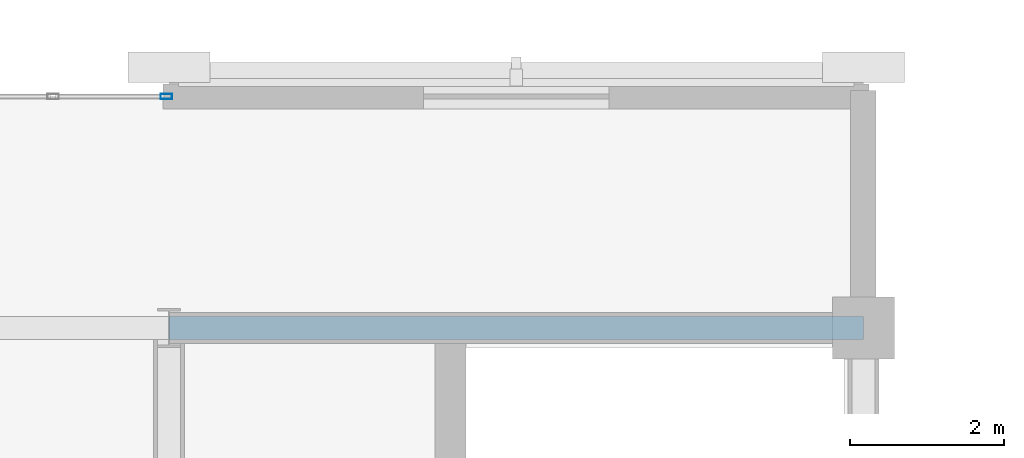
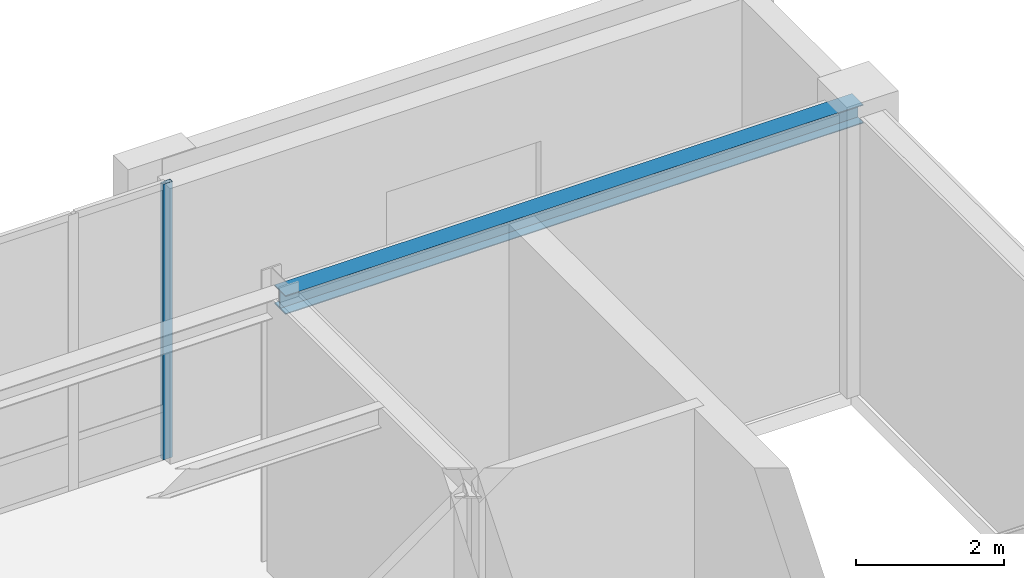
# One storey, part 28 of 98: 1 beam, 1 member, 1 element without a shape of its own.
"""IFC4 building model written with IfcOpenShell, lengths in metres."""

from ifc_helpers import new_model, si_unit, direction, frame, origin, origin_2d, place, context, subcontext, project, spatial, hollow_rectangle, i_section, extrude, material, material_profile, profile_set, type_object, element, aggregate, save


model = new_model("IFC4")

# Units and contexts
model_context = context("Model", 3, precision=1e-05, world=origin(), true_north=direction((0.0, 1.0)))
body_context = subcontext(model_context, "Body", "Model", "MODEL_VIEW")
ifc_project = project(units=[si_unit("LENGTHUNIT", "METRE"), si_unit("AREAUNIT", "SQUARE_METRE"), si_unit("VOLUMEUNIT", "CUBIC_METRE"), si_unit("PLANEANGLEUNIT", "RADIAN"), si_unit("MASSUNIT", "GRAM", prefix="KILO")], contexts=[model_context])

# Site, building, storey
site_placement = place(None, origin())
site = spatial("IfcSite", under=ifc_project, at=site_placement, CompositionType="ELEMENT")
building_placement = place(site_placement, origin())
building = spatial("IfcBuilding", under=site, at=building_placement, Name="Lykobir Media Centre", CompositionType="ELEMENT")
storey_placement = place(building_placement, frame((0.0, 0.0, 10.199951171875)))
storey = spatial("IfcBuildingStorey", under=building, at=storey_placement, Name="L02", CompositionType="ELEMENT", Elevation=10.199951171875)

# Curtain wall, member
ifc_material_1 = material(Name="Anodized Aluminium AW-6060", Category="aluminium")
curtain_wall_type = type_object("IfcCurtainWallType", Name="CW-COURT-A", PredefinedType="NOTDEFINED", material=ifc_material_1)
curtain_wall_placement = place(storey_placement, origin())
curtain_wall = element("IfcCurtainWall", 1, at=curtain_wall_placement, inside=storey, type_object=curtain_wall_type, Name="Curtain wall CW2-L02-0076", PredefinedType="NOTDEFINED")
ifc_material_profile_1 = material_profile(ifc_material_1, hollow_rectangle(XDim=0.06494140625, YDim=0.14990234375, WallThickness=0.00341796875, at=origin_2d()), Name="ALU MULLION 65x150")
ifc_profile_set_1 = profile_set([ifc_material_profile_1], Name="Anodized Aluminium AW-6060")
member_type = type_object("IfcMemberType", Name="CWM-150", PredefinedType="MULLION", material=ifc_profile_set_1)
member_placement = place(storey_placement, frame((71.967529296875, 21.0, 0.0), z_axis=(0.0, 0.0, 1.0), x_axis=(0.0, 1.0, 0.0)))
member = element("IfcMember", 2, at=member_placement, type_object=member_type, Name="CW2-L02-0076 mullion 7", PredefinedType="MULLION", context=body_context, shape_type="SweptSolid", body=[
    extrude(hollow_rectangle(XDim=0.06494140625, YDim=0.14990234375, WallThickness=0.00341796875, at=origin_2d()), origin(), (0.0, 0.0, 1.0), 4.5400390625),
])
aggregate(curtain_wall, [member])

# Beam
ifc_material_2 = material(Name="Steel S355", Category="steel")
ifc_material_profile_2 = material_profile(ifc_material_2, i_section(OverallWidth=0.300048828125, OverallDepth=0.31005859375, WebThickness=0.009033203125, FlangeThickness=0.015380859375, at=origin_2d()), Name="HEA 320")
ifc_profile_set_2 = profile_set([ifc_material_profile_2], Name="Steel S355")
beam_type = type_object("IfcBeamType", Name="SP-HEA320", PredefinedType="SPANDREL", material=ifc_profile_set_2)
beam_placement = place(storey_placement, frame((72.0, 18.0, 4.405029296875), z_axis=(1.0, 0.0, 0.0), x_axis=(0.0, 1.0, 0.0)))
element("IfcBeam", 3, at=beam_placement, inside=storey, type_object=beam_type, Name="Beam BM-L02-0720-0180-0810-0180-1460", PredefinedType="SPANDREL", context=body_context, shape_type="SweptSolid", body=[
    extrude(i_section(OverallWidth=0.300048828125, OverallDepth=0.31005859375, WebThickness=0.009033203125, FlangeThickness=0.015380859375, at=origin_2d()), origin(), (0.0, 0.0, 1.0), 9.0),
])

save(model, "model.ifc")
